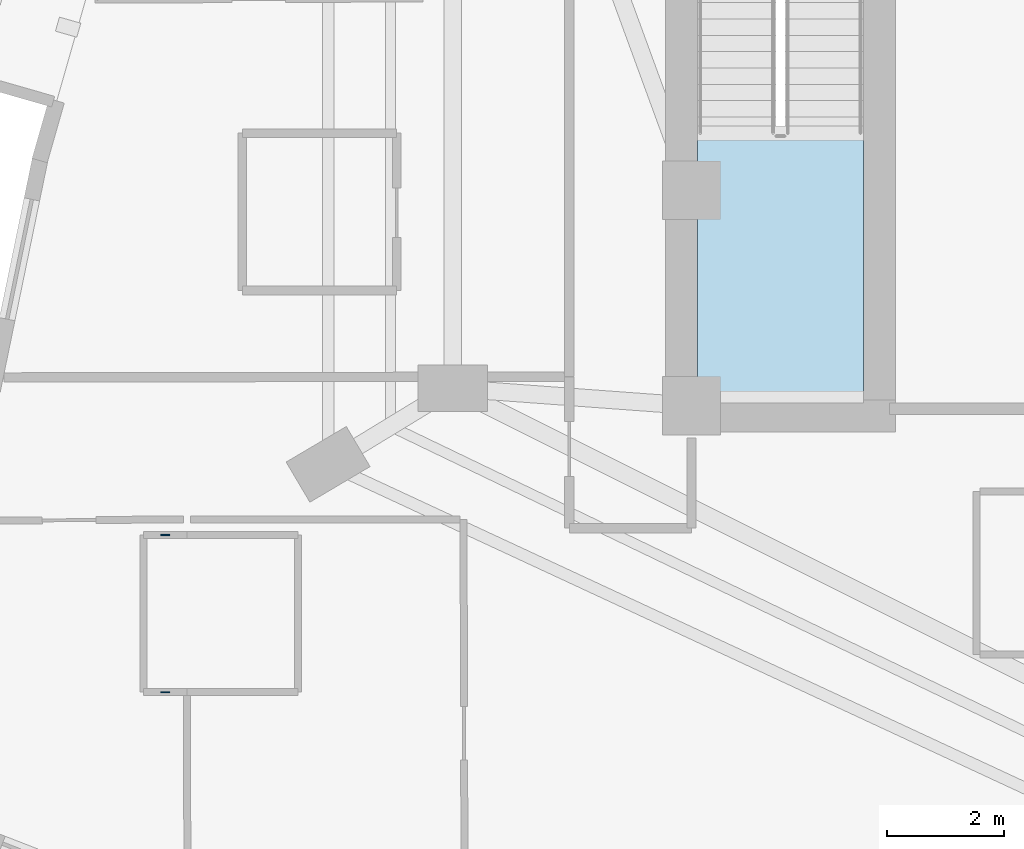
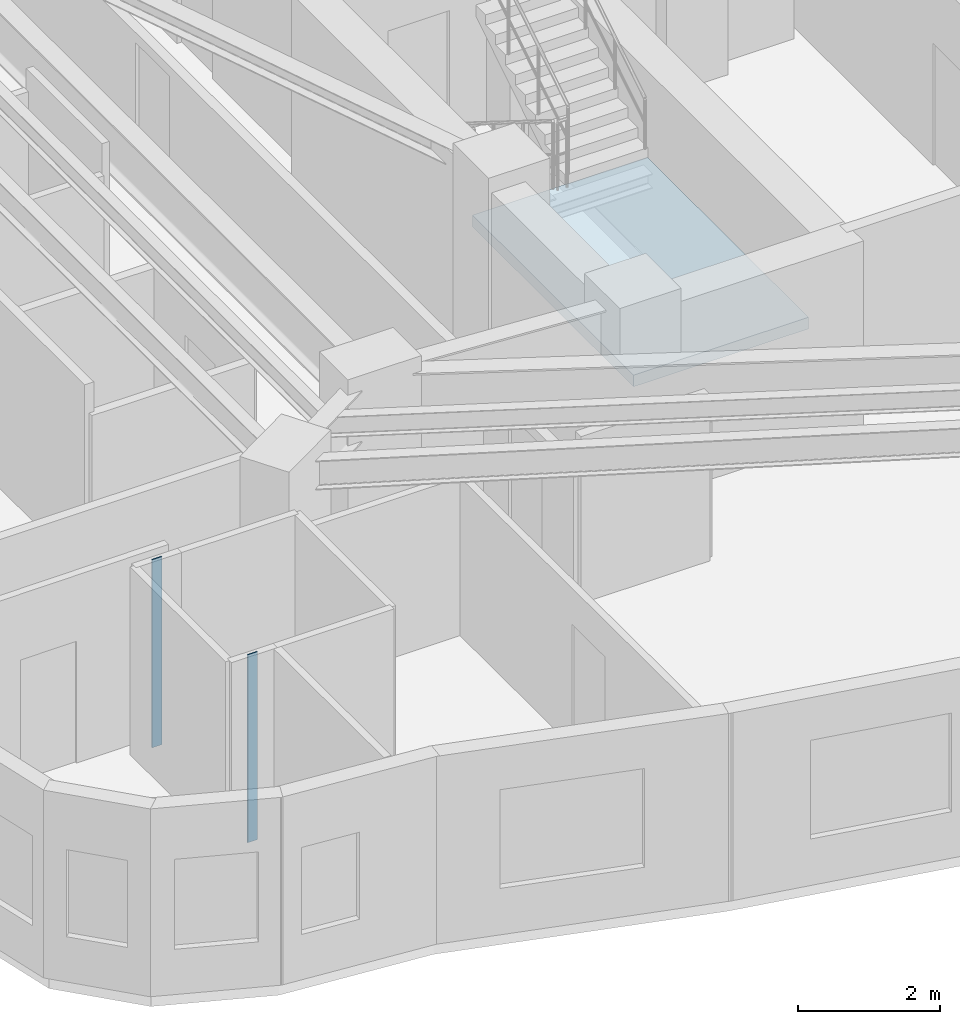
# One storey, part 2 of 14: 2 plates, 1 slab, 1 element without a shape of its own.
"""IFC4 building model written with IfcOpenShell, lengths in metres."""

from ifc_helpers import new_model, si_unit, direction, frame, origin, origin_2d, place, context, subcontext, project, spatial, polyline, rectangle, outline, extrude, material, layer, layer_set, type_object, element, aggregate, save


model = new_model("IFC4")

# Units and contexts
model_context = context("Model", 3, precision=1e-05, world=origin(), true_north=direction((0.0, 1.0)))
body_context = subcontext(model_context, "Body", "Model", "MODEL_VIEW")
ifc_project = project(units=[si_unit("LENGTHUNIT", "METRE"), si_unit("AREAUNIT", "SQUARE_METRE"), si_unit("VOLUMEUNIT", "CUBIC_METRE"), si_unit("PLANEANGLEUNIT", "RADIAN"), si_unit("MASSUNIT", "GRAM", prefix="KILO")], contexts=[model_context])

# Site, building, storey
site_placement = place(None, origin())
site = spatial("IfcSite", under=ifc_project, at=site_placement, CompositionType="ELEMENT")
building_placement = place(site_placement, origin())
building = spatial("IfcBuilding", under=site, at=building_placement, Name="Miruveldt Soraemaru", CompositionType="ELEMENT")
storey_placement = place(building_placement, frame((0.0, 0.0, 117.89990234375)))
storey = spatial("IfcBuildingStorey", under=building, at=storey_placement, Name="L32", CompositionType="ELEMENT", Elevation=117.89990234375)

# Plates
ifc_material_1 = material(Name="Anodised aluminium EN AW-6063 T6", Category="aluminium")
ifc_layer_1 = layer(ifc_material_1, 0.02001953125, Name="Anodised aluminium EN AW-6063 T6", Category="aluminium")
ifc_layer_set_1 = layer_set([ifc_layer_1], Name="Anodised aluminium EN AW-6063 T6")
plate_type = type_object("IfcPlateType", Name="PLT-PART-TRIM", PredefinedType="SHEET", material=ifc_layer_set_1)
for number, where, z_axis, x_axis, name in (
    (1, (26.464111328125, 33.282958984375, 0.0), (0.0, 0.0, 1.0), (-1.0, 0.0, 0.0), "L32 Partition Step Corner Trim Plate 072"),
    (2, (26.464111328125, 30.5830078125, 0.0), (0.0, 0.0, 1.0), (1.0, 0.0, 0.0), "L32 Partition Step Corner Trim Plate 074"),
):
    element("IfcPlate", number, at=place(storey_placement, frame(where, z_axis=z_axis, x_axis=x_axis)), inside=storey, type_object=plate_type, Name=name, PredefinedType="SHEET", context=body_context, shape_type="SweptSolid", body=[
        extrude(rectangle(XDim=0.159912109375, YDim=0.02001953125, at=origin_2d()), origin(), (0.0, 0.0, 1.0), 3.235107421875),
    ])

# Stair, slab
ifc_material_2 = material(Name="Concrete C40/50 (40 MPa)", Category="concrete")
stair_type = type_object("IfcStairType", Name="STAIR-DL-350", PredefinedType="HALF_TURN_STAIR", material=ifc_material_2)
stair_placement = place(storey_placement, origin())
stair = element("IfcStair", 3, at=stair_placement, inside=storey, type_object=stair_type, Name="L32 Protected Exit Stair ST-1", PredefinedType="HALF_TURN_STAIR")
ifc_layer_2 = layer(ifc_material_2, 0.199951171875, Name="Concrete C40/50 (40 MPa)", Category="concrete")
ifc_layer_set_2 = layer_set([ifc_layer_2], Name="Concrete C40/50 (40 MPa)")
slab_type = type_object("IfcSlabType", Name="SLAB-LAND-200", PredefinedType="LANDING", material=ifc_layer_set_2)
slab_placement = place(storey_placement, frame((0.0, 0.0, 1.550048828125)))
slab = element("IfcSlab", 4, at=slab_placement, type_object=slab_type, Name="ST-1 landing 1", PredefinedType="LANDING", context=body_context, shape_type="SweptSolid", body=[
    extrude(outline(polyline([(35.60009765625, 40.197998046875), (35.60009765625, 35.64990234375), (38.449951171875, 35.64990234375), (38.449951171875, 40.197998046875), (35.60009765625, 40.197998046875)])), origin(), (0.0, 0.0, 1.0), 0.199951171875),
])
aggregate(stair, [slab])

save(model, "model.ifc")
